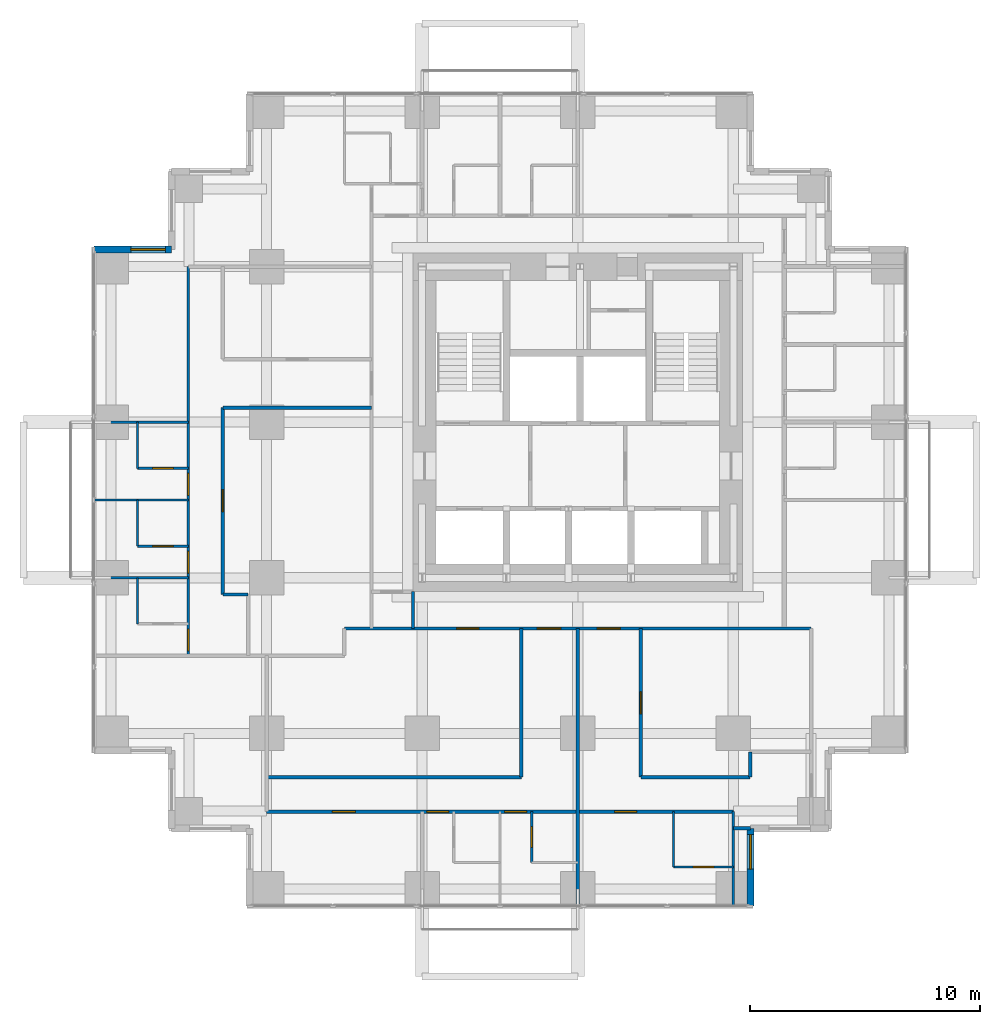
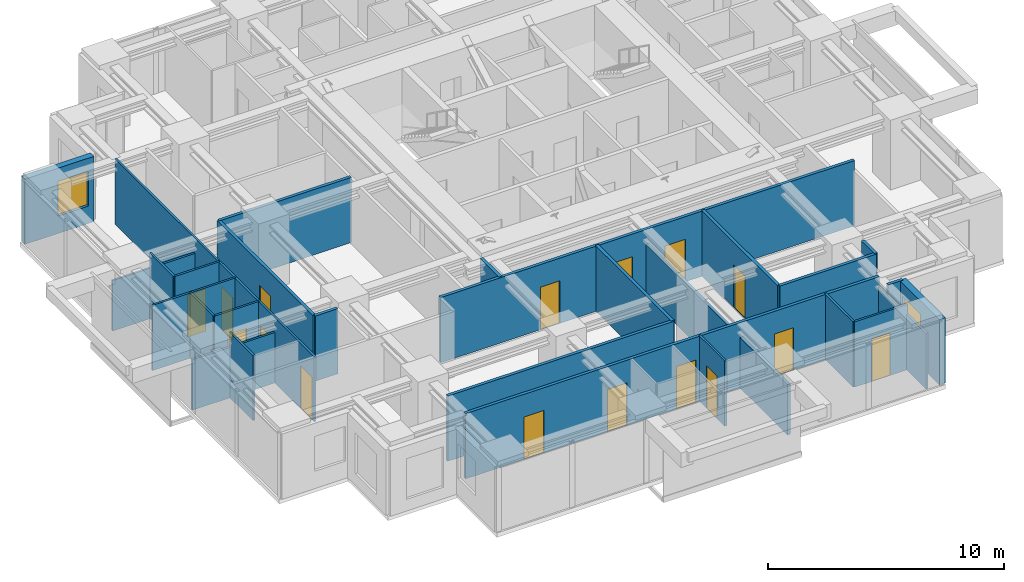
# One storey, part 6 of 10: 28 walls, 16 doors, 2 windows, 18 openings.
"""IFC4 building model written with IfcOpenShell, lengths in metres."""

from ifc_helpers import new_model, si_unit, direction, frame, frame_2d, origin, place, context, subcontext, project, spatial, rectangle, extrude, material, layer, layer_set, type_object, element, fill, save


model = new_model("IFC4")

# Units and contexts
model_context = context("Model", 3, precision=1e-05, world=origin(), true_north=direction((0.0, 1.0)))
body_context = subcontext(model_context, "Body", "Model", "MODEL_VIEW")
ifc_project = project(units=[si_unit("LENGTHUNIT", "METRE"), si_unit("AREAUNIT", "SQUARE_METRE"), si_unit("VOLUMEUNIT", "CUBIC_METRE"), si_unit("PLANEANGLEUNIT", "RADIAN"), si_unit("MASSUNIT", "GRAM", prefix="KILO")], contexts=[model_context])

# Site, building, storey
site_placement = place(None, origin())
site = spatial("IfcSite", under=ifc_project, at=site_placement, CompositionType="ELEMENT")
building_placement = place(site_placement, origin())
building = spatial("IfcBuilding", under=site, at=building_placement, Name="Nyansa Garden Tower", CompositionType="ELEMENT")
storey_placement = place(building_placement, frame((0.0, 0.0, 167.39990234375)))
storey = spatial("IfcBuildingStorey", under=building, at=storey_placement, Name="L45", CompositionType="ELEMENT", Elevation=167.39990234375)

# Wall, opening, door
ifc_material_1 = material(Name="Blockwork, plastered both sides", Category="masonry")
ifc_layer_1 = layer(ifc_material_1, 0.14990234375)
ifc_layer_set_1 = layer_set([ifc_layer_1], Name="Partition PW150")
wall_type_1 = type_object("IfcWallType", Name="Partition PW150", PredefinedType="PARTITIONING", material=ifc_layer_set_1)
wall_1_placement = place(storey_placement, frame((4.85009765625, 12.77490234375, 0.0), z_axis=(0.0, 0.0, 1.0), x_axis=(0.0, 1.0, 0.0)))
wall_1 = element("IfcWall", 1, at=wall_1_placement, inside=storey, type_object=wall_type_1, Name="Partition", PredefinedType="PARTITIONING", context=body_context, shape_type="SweptSolid", body=[
    extrude(rectangle(XDim=8.112548828125, YDim=0.14990234375, at=frame_2d((4.05615234375, 0.0))), origin(), (0.0, 0.0, 1.0), 3.375),
])
opening_1_placement = place(wall_1_placement, frame((3.60009765625, 0.0, 0.0)))
opening_1 = element("IfcOpeningElement", 2, at=opening_1_placement, cuts=wall_1, Name="Opening D01", PredefinedType="OPENING", context=body_context, shape_type="SweptSolid", body=[
    extrude(rectangle(XDim=0.949951171875, YDim=2.199951171875, at=frame_2d((0.47509765625, 1.10009765625))), frame((0.0, 0.0849609375, 0.0), z_axis=(0.0, -1.0, 0.0), x_axis=(1.0, 0.0, 0.0)), (0.0, 0.0, 1.0), 0.169921875),
])
ifc_material_2 = material(Name="Timber flush door, 30 minute fire resisting", Category="wood")
door_type_1 = type_object("IfcDoorType", Name="Bedroom door D01 950x2200", OperationType="SINGLE_SWING_LEFT", PredefinedType="DOOR", material=ifc_material_2)
door_1_placement = place(opening_1_placement, origin())
door_1 = element("IfcDoor", 3, at=door_1_placement, inside=storey, type_object=door_type_1, Name="Door L45-053", OperationType="SINGLE_SWING_LEFT", OverallHeight=2.199951171875, OverallWidth=0.949951171875, PredefinedType="DOOR", context=body_context, shape_type="SweptSolid", body=[
    extrude(rectangle(XDim=0.949951171875, YDim=2.199951171875, at=frame_2d((0.47509765625, 1.10009765625))), frame((0.0, 0.02490234375, 0.0), z_axis=(0.0, -1.0, 0.0), x_axis=(1.0, 0.0, 0.0)), (0.0, 0.0, 1.0), 0.050048828125),
])
fill(opening_1, door_1)

# Walls
wall_2_placement = place(storey_placement, frame((4.85009765625, 12.77490234375, 0.0), z_axis=(0.0, 0.0, 1.0), x_axis=(1.0, 0.0, 0.0)))
element("IfcWall", 4, at=wall_2_placement, inside=storey, type_object=wall_type_1, Name="Partition", PredefinedType="PARTITIONING", context=body_context, shape_type="SweptSolid", body=[
    extrude(rectangle(XDim=1.099853515625, YDim=0.14990234375, at=frame_2d((0.5498046875, 0.0))), origin(), (0.0, 0.0, 1.0), 3.375),
])
wall_3_placement = place(storey_placement, frame((4.85009765625, 20.886962890625, 0.0), z_axis=(0.0, 0.0, 1.0), x_axis=(1.0, 0.0, 0.0)))
element("IfcWall", 5, at=wall_3_placement, inside=storey, type_object=wall_type_1, Name="Partition", PredefinedType="PARTITIONING", context=body_context, shape_type="SweptSolid", body=[
    extrude(rectangle(XDim=6.449951171875, YDim=0.14990234375, at=frame_2d((3.22509765625, 0.0))), origin(), (0.0, 0.0, 1.0), 3.375),
])

# Wall, openings, doors
wall_4_placement = place(storey_placement, frame((6.75, 3.35009765625, 0.0), z_axis=(0.0, 0.0, 1.0), x_axis=(1.0, 0.0, 0.0)))
wall_4 = element("IfcWall", 6, at=wall_4_placement, inside=storey, type_object=wall_type_1, Name="Partition", PredefinedType="PARTITIONING", context=body_context, shape_type="SweptSolid", body=[
    extrude(rectangle(XDim=20.25, YDim=0.14990234375, at=frame_2d((10.125, 0.0))), origin(), (0.0, 0.0, 1.0), 3.375),
])
opening_2_placement = place(wall_4_placement, frame((2.85009765625, 0.0, 0.0)))
opening_2 = element("IfcOpeningElement", 7, at=opening_2_placement, cuts=wall_4, Name="Opening D03", PredefinedType="OPENING", context=body_context, shape_type="SweptSolid", body=[
    extrude(rectangle(XDim=1.0, YDim=2.199951171875, at=frame_2d((0.5, 1.10009765625))), frame((0.0, 0.0849609375, 0.0), z_axis=(0.0, -1.0, 0.0), x_axis=(1.0, 0.0, 0.0)), (0.0, 0.0, 1.0), 0.169921875),
])
opening_3_placement = place(wall_4_placement, frame((6.949951171875, 0.0, 0.0)))
opening_3 = element("IfcOpeningElement", 8, at=opening_3_placement, cuts=wall_4, Name="Opening D01", PredefinedType="OPENING", context=body_context, shape_type="SweptSolid", body=[
    extrude(rectangle(XDim=0.949951171875, YDim=2.199951171875, at=frame_2d((0.47509765625, 1.10009765625))), frame((0.0, 0.0849609375, 0.0), z_axis=(0.0, -1.0, 0.0), x_axis=(1.0, 0.0, 0.0)), (0.0, 0.0, 1.0), 0.169921875),
])
opening_4_placement = place(wall_4_placement, frame((10.324951171875, 0.0, 0.0)))
opening_4 = element("IfcOpeningElement", 9, at=opening_4_placement, cuts=wall_4, Name="Opening D01", PredefinedType="OPENING", context=body_context, shape_type="SweptSolid", body=[
    extrude(rectangle(XDim=0.949951171875, YDim=2.199951171875, at=frame_2d((0.47509765625, 1.10009765625))), frame((0.0, 0.0849609375, 0.0), z_axis=(0.0, -1.0, 0.0), x_axis=(1.0, 0.0, 0.0)), (0.0, 0.0, 1.0), 0.169921875),
])
opening_5_placement = place(wall_4_placement, frame((15.10009765625, 0.0, 0.0)))
opening_5 = element("IfcOpeningElement", 10, at=opening_5_placement, cuts=wall_4, Name="Opening D14", PredefinedType="OPENING", context=body_context, shape_type="SweptSolid", body=[
    extrude(rectangle(XDim=0.949951171875, YDim=2.199951171875, at=frame_2d((0.47509765625, 1.10009765625))), frame((0.0, 0.0849609375, 0.0), z_axis=(0.0, -1.0, 0.0), x_axis=(1.0, 0.0, 0.0)), (0.0, 0.0, 1.0), 0.169921875),
])
door_2_placement = place(opening_3_placement, origin())
door_2 = element("IfcDoor", 11, at=door_2_placement, inside=storey, type_object=door_type_1, Name="Door L45-019", OperationType="SINGLE_SWING_LEFT", OverallHeight=2.199951171875, OverallWidth=0.949951171875, PredefinedType="DOOR", context=body_context, shape_type="SweptSolid", body=[
    extrude(rectangle(XDim=0.949951171875, YDim=2.199951171875, at=frame_2d((0.47509765625, 1.10009765625))), frame((0.0, 0.02490234375, 0.0), z_axis=(0.0, -1.0, 0.0), x_axis=(1.0, 0.0, 0.0)), (0.0, 0.0, 1.0), 0.050048828125),
])
fill(opening_3, door_2)
door_3_placement = place(opening_4_placement, origin())
door_3 = element("IfcDoor", 12, at=door_3_placement, inside=storey, type_object=door_type_1, Name="Door L45-021", OperationType="SINGLE_SWING_LEFT", OverallHeight=2.199951171875, OverallWidth=0.949951171875, PredefinedType="DOOR", context=body_context, shape_type="SweptSolid", body=[
    extrude(rectangle(XDim=0.949951171875, YDim=2.199951171875, at=frame_2d((0.47509765625, 1.10009765625))), frame((0.0, 0.02490234375, 0.0), z_axis=(0.0, -1.0, 0.0), x_axis=(1.0, 0.0, 0.0)), (0.0, 0.0, 1.0), 0.050048828125),
])
fill(opening_4, door_3)
ifc_material_3 = material(Name="Timber flush door, 60 minute fire resisting", Category="wood")
door_type_2 = type_object("IfcDoorType", Name="Cluster entrance door D03 1000x2200", OperationType="SINGLE_SWING_LEFT", PredefinedType="DOOR", material=ifc_material_3)
door_4_placement = place(opening_2_placement, origin())
door_4 = element("IfcDoor", 13, at=door_4_placement, inside=storey, type_object=door_type_2, Name="Door L45-018", OperationType="SINGLE_SWING_LEFT", OverallHeight=2.199951171875, OverallWidth=1.0, PredefinedType="DOOR", context=body_context, shape_type="SweptSolid", body=[
    extrude(rectangle(XDim=1.0, YDim=2.199951171875, at=frame_2d((0.5, 1.10009765625))), frame((0.0, 0.02490234375, 0.0), z_axis=(0.0, -1.0, 0.0), x_axis=(1.0, 0.0, 0.0)), (0.0, 0.0, 1.0), 0.050048828125),
])
fill(opening_2, door_4)
ifc_material_4 = material(Name="Timber flush door, 60 minute fire resisting, self-closing", Category="wood")
door_type_3 = type_object("IfcDoorType", Name="Studio entrance door D14 950x2200", OperationType="SINGLE_SWING_LEFT", PredefinedType="DOOR", material=ifc_material_4)
door_5_placement = place(opening_5_placement, origin())
door_5 = element("IfcDoor", 14, at=door_5_placement, inside=storey, type_object=door_type_3, Name="Door L45-024", OperationType="SINGLE_SWING_LEFT", OverallHeight=2.199951171875, OverallWidth=0.949951171875, PredefinedType="DOOR", context=body_context, shape_type="SweptSolid", body=[
    extrude(rectangle(XDim=0.949951171875, YDim=2.199951171875, at=frame_2d((0.47509765625, 1.10009765625))), frame((0.0, 0.02490234375, 0.0), z_axis=(0.0, -1.0, 0.0), x_axis=(1.0, 0.0, 0.0)), (0.0, 0.0, 1.0), 0.050048828125),
])
fill(opening_5, door_5)

# Wall
wall_5_placement = place(storey_placement, frame((6.75, 4.85009765625, 0.0), z_axis=(0.0, 0.0, 1.0), x_axis=(1.0, 0.0, 0.0)))
element("IfcWall", 15, at=wall_5_placement, inside=storey, type_object=wall_type_1, Name="Partition", PredefinedType="PARTITIONING", context=body_context, shape_type="SweptSolid", body=[
    extrude(rectangle(XDim=11.050048828125, YDim=0.14990234375, at=frame_2d((5.52490234375, 0.0))), origin(), (0.0, 0.0, 1.0), 3.375),
])

# Wall, openings, doors
wall_6_placement = place(storey_placement, frame((10.125, 11.300048828125, 0.0), z_axis=(0.0, 0.0, 1.0), x_axis=(1.0, 0.0, 0.0)))
wall_6 = element("IfcWall", 16, at=wall_6_placement, inside=storey, type_object=wall_type_1, Name="Partition", PredefinedType="PARTITIONING", context=body_context, shape_type="SweptSolid", body=[
    extrude(rectangle(XDim=20.25, YDim=0.14990234375, at=frame_2d((10.125, 0.0))), origin(), (0.0, 0.0, 1.0), 3.375),
])
opening_6_placement = place(wall_6_placement, frame((8.375, 0.0, 0.0)))
opening_6 = element("IfcOpeningElement", 17, at=opening_6_placement, cuts=wall_6, Name="Opening D03", PredefinedType="OPENING", context=body_context, shape_type="SweptSolid", body=[
    extrude(rectangle(XDim=1.0, YDim=2.199951171875, at=frame_2d((0.5, 1.10009765625))), frame((0.0, 0.0849609375, 0.0), z_axis=(0.0, -1.0, 0.0), x_axis=(1.0, 0.0, 0.0)), (0.0, 0.0, 1.0), 0.169921875),
])
opening_7_placement = place(wall_6_placement, frame((10.97509765625, 0.0, 0.0)))
opening_7 = element("IfcOpeningElement", 18, at=opening_7_placement, cuts=wall_6, Name="Opening D03", PredefinedType="OPENING", context=body_context, shape_type="SweptSolid", body=[
    extrude(rectangle(XDim=1.0, YDim=2.199951171875, at=frame_2d((0.5, 1.10009765625))), frame((0.0, 0.0849609375, 0.0), z_axis=(0.0, -1.0, 0.0), x_axis=(1.0, 0.0, 0.0)), (0.0, 0.0, 1.0), 0.169921875),
])
opening_8_placement = place(wall_6_placement, frame((4.875, 0.0, 0.0)))
opening_8 = element("IfcOpeningElement", 19, at=opening_8_placement, cuts=wall_6, Name="Opening D01", PredefinedType="OPENING", context=body_context, shape_type="SweptSolid", body=[
    extrude(rectangle(XDim=0.949951171875, YDim=2.199951171875, at=frame_2d((0.47509765625, 1.10009765625))), frame((0.0, 0.0849609375, 0.0), z_axis=(0.0, -1.0, 0.0), x_axis=(1.0, 0.0, 0.0)), (0.0, 0.0, 1.0), 0.169921875),
])
door_6_placement = place(opening_8_placement, origin())
door_6 = element("IfcDoor", 20, at=door_6_placement, inside=storey, type_object=door_type_1, Name="Door L45-027", OperationType="SINGLE_SWING_LEFT", OverallHeight=2.199951171875, OverallWidth=0.949951171875, PredefinedType="DOOR", context=body_context, shape_type="SweptSolid", body=[
    extrude(rectangle(XDim=0.949951171875, YDim=2.199951171875, at=frame_2d((0.47509765625, 1.10009765625))), frame((0.0, 0.02490234375, 0.0), z_axis=(0.0, -1.0, 0.0), x_axis=(1.0, 0.0, 0.0)), (0.0, 0.0, 1.0), 0.050048828125),
])
fill(opening_8, door_6)
door_7_placement = place(opening_6_placement, origin())
door_7 = element("IfcDoor", 21, at=door_7_placement, inside=storey, type_object=door_type_2, Name="Door L45-023", OperationType="SINGLE_SWING_LEFT", OverallHeight=2.199951171875, OverallWidth=1.0, PredefinedType="DOOR", context=body_context, shape_type="SweptSolid", body=[
    extrude(rectangle(XDim=1.0, YDim=2.199951171875, at=frame_2d((0.5, 1.10009765625))), frame((0.0, 0.02490234375, 0.0), z_axis=(0.0, -1.0, 0.0), x_axis=(1.0, 0.0, 0.0)), (0.0, 0.0, 1.0), 0.050048828125),
])
fill(opening_6, door_7)
door_8_placement = place(opening_7_placement, origin())
door_8 = element("IfcDoor", 22, at=door_8_placement, inside=storey, type_object=door_type_2, Name="Door L45-026", OperationType="SINGLE_SWING_LEFT", OverallHeight=2.199951171875, OverallWidth=1.0, PredefinedType="DOOR", context=body_context, shape_type="SweptSolid", body=[
    extrude(rectangle(XDim=1.0, YDim=2.199951171875, at=frame_2d((0.5, 1.10009765625))), frame((0.0, 0.02490234375, 0.0), z_axis=(0.0, -1.0, 0.0), x_axis=(1.0, 0.0, 0.0)), (0.0, 0.0, 1.0), 0.050048828125),
])
fill(opening_7, door_8)

# Walls
wall_7_placement = place(storey_placement, frame((13.10009765625, 11.300048828125, 0.0), z_axis=(0.0, 0.0, 1.0), x_axis=(0.0, 1.0, 0.0)))
element("IfcWall", 23, at=wall_7_placement, inside=storey, type_object=wall_type_1, Name="Partition", PredefinedType="PARTITIONING", context=body_context, shape_type="SweptSolid", body=[
    extrude(rectangle(XDim=1.599853515625, YDim=0.14990234375, at=frame_2d((0.7998046875, 0.0))), origin(), (0.0, 0.0, 1.0), 3.375),
])
wall_8_placement = place(storey_placement, frame((17.800048828125, 4.85009765625, 0.0), z_axis=(0.0, 0.0, 1.0), x_axis=(0.0, 1.0, 0.0)))
element("IfcWall", 24, at=wall_8_placement, inside=storey, type_object=wall_type_1, Name="Partition", PredefinedType="PARTITIONING", context=body_context, shape_type="SweptSolid", body=[
    extrude(rectangle(XDim=6.449951171875, YDim=0.14990234375, at=frame_2d((3.22509765625, 0.0))), origin(), (0.0, 0.0, 1.0), 3.375),
])
wall_9_placement = place(storey_placement, frame((20.25, -0.73388671875, 0.0), z_axis=(0.0, 0.0, 1.0), x_axis=(0.0, 1.0, 0.0)))
element("IfcWall", 25, at=wall_9_placement, inside=storey, type_object=wall_type_1, Name="Partition", PredefinedType="PARTITIONING", context=body_context, shape_type="SweptSolid", body=[
    extrude(rectangle(XDim=12.033935546875, YDim=0.14990234375, at=frame_2d((6.01708984375, 0.0))), origin(), (0.0, 0.0, 1.0), 2.610107421875),
])
wall_10_placement = place(storey_placement, frame((22.987548828125, 4.85009765625, 0.0), z_axis=(0.0, 0.0, 1.0), x_axis=(1.0, 0.0, 0.0)))
element("IfcWall", 26, at=wall_10_placement, inside=storey, type_object=wall_type_1, Name="Partition", PredefinedType="PARTITIONING", context=body_context, shape_type="SweptSolid", body=[
    extrude(rectangle(XDim=4.737548828125, YDim=0.14990234375, at=frame_2d((2.36865234375, 0.0))), origin(), (0.0, 0.0, 1.0), 3.375),
])

# Wall, opening, door
wall_11_placement = place(storey_placement, frame((22.988037109375, 4.85009765625, 0.0), z_axis=(0.0, 0.0, 1.0), x_axis=(0.0, 1.0, 0.0)))
wall_11 = element("IfcWall", 27, at=wall_11_placement, inside=storey, type_object=wall_type_1, Name="Partition", PredefinedType="PARTITIONING", context=body_context, shape_type="SweptSolid", body=[
    extrude(rectangle(XDim=6.449951171875, YDim=0.14990234375, at=frame_2d((3.22509765625, 0.0))), origin(), (0.0, 0.0, 1.0), 3.375),
])
opening_9_placement = place(wall_11_placement, frame((2.75, 0.0, 0.0)))
opening_9 = element("IfcOpeningElement", 28, at=opening_9_placement, cuts=wall_11, Name="Opening D01", PredefinedType="OPENING", context=body_context, shape_type="SweptSolid", body=[
    extrude(rectangle(XDim=0.949951171875, YDim=2.199951171875, at=frame_2d((0.47509765625, 1.10009765625))), frame((0.0, 0.0849609375, 0.0), z_axis=(0.0, -1.0, 0.0), x_axis=(1.0, 0.0, 0.0)), (0.0, 0.0, 1.0), 0.169921875),
])
door_9_placement = place(opening_9_placement, origin())
door_9 = element("IfcDoor", 29, at=door_9_placement, inside=storey, type_object=door_type_1, Name="Door L45-028", OperationType="SINGLE_SWING_LEFT", OverallHeight=2.199951171875, OverallWidth=0.949951171875, PredefinedType="DOOR", context=body_context, shape_type="SweptSolid", body=[
    extrude(rectangle(XDim=0.949951171875, YDim=2.199951171875, at=frame_2d((0.47509765625, 1.10009765625))), frame((0.0, 0.02490234375, 0.0), z_axis=(0.0, -1.0, 0.0), x_axis=(1.0, 0.0, 0.0)), (0.0, 0.0, 1.0), 0.050048828125),
])
fill(opening_9, door_9)

# Walls
wall_12_placement = place(storey_placement, frame((27.0, 2.625, 0.0), z_axis=(0.0, 0.0, 1.0), x_axis=(1.0, 0.0, 0.0)))
element("IfcWall", 30, at=wall_12_placement, inside=storey, type_object=wall_type_1, Name="Partition", PredefinedType="PARTITIONING", context=body_context, shape_type="SweptSolid", body=[
    extrude(rectangle(XDim=0.73388671875, YDim=0.14990234375, at=frame_2d((0.366943359375, 0.0))), origin(), (0.0, 0.0, 1.0), 3.375),
])
wall_13_placement = place(storey_placement, frame((27.72509765625, 4.85009765625, 0.0), z_axis=(0.0, 0.0, 1.0), x_axis=(0.0, 1.0, 0.0)))
element("IfcWall", 31, at=wall_13_placement, inside=storey, type_object=wall_type_1, Name="Partition", PredefinedType="PARTITIONING", context=body_context, shape_type="SweptSolid", body=[
    extrude(rectangle(XDim=1.099853515625, YDim=0.14990234375, at=frame_2d((0.5498046875, 0.0))), origin(), (0.0, 0.0, 1.0), 3.375),
])

# Wall, opening, window
ifc_material_5 = material(Name="Turquoise glazed tile on concrete blockwork", Category="masonry")
ifc_layer_2 = layer(ifc_material_5, 0.300048828125)
ifc_layer_set_2 = layer_set([ifc_layer_2], Name="Tiled corner wall TW300")
wall_type_2 = type_object("IfcWallType", Name="Tiled corner wall TW300", PredefinedType="SOLIDWALL", material=ifc_layer_set_2)
wall_14_placement = place(storey_placement, frame((2.625, 27.75, 0.0), z_axis=(0.0, 0.0, 1.0), x_axis=(-1.0, 0.0, 0.0)))
wall_14 = element("IfcWall", 32, at=wall_14_placement, inside=storey, type_object=wall_type_2, Name="Tiled corner wall L45", PredefinedType="SOLIDWALL", context=body_context, shape_type="SweptSolid", body=[
    extrude(rectangle(XDim=3.375, YDim=0.300048828125, at=frame_2d((1.6875, 0.0))), origin(), (0.0, 0.0, 1.0), 3.375),
])
opening_10_placement = place(wall_14_placement, frame((0.267578125, 0.0, 0.89990234375)))
opening_10 = element("IfcOpeningElement", 33, at=opening_10_placement, cuts=wall_14, Name="Opening W1", PredefinedType="OPENING", context=body_context, shape_type="SweptSolid", body=[
    extrude(rectangle(XDim=1.5, YDim=1.800048828125, at=frame_2d((0.75, 0.89990234375))), frame((0.0, 0.159912109375, 0.0), z_axis=(0.0, -1.0, 0.0), x_axis=(1.0, 0.0, 0.0)), (0.0, 0.0, 1.0), 0.320068359375),
])
ifc_material_6 = material(Name="Black aluminium frame, dark tinted double glazing", Category="aluminium")
window_type = type_object("IfcWindowType", Name="Window W1 1500x1800", PartitioningType="SINGLE_PANEL", PredefinedType="WINDOW", material=ifc_material_6)
window_1_placement = place(opening_10_placement, origin())
window_1 = element("IfcWindow", 34, at=window_1_placement, inside=storey, type_object=window_type, Name="Corner window L45", OverallHeight=1.800048828125, OverallWidth=1.5, PartitioningType="SINGLE_PANEL", PredefinedType="WINDOW", context=body_context, shape_type="SweptSolid", body=[
    extrude(rectangle(XDim=1.5, YDim=1.800048828125, at=frame_2d((0.75, 0.89990234375))), frame((0.0, 0.030029296875, 0.0), z_axis=(0.0, -1.0, 0.0), x_axis=(1.0, 0.0, 0.0)), (0.0, 0.0, 1.0), 0.06005859375),
])
fill(opening_10, window_1)

wall_15_placement = place(storey_placement, frame((27.75, -0.75, 0.0), z_axis=(0.0, 0.0, 1.0), x_axis=(0.0, 1.0, 0.0)))
wall_15 = element("IfcWall", 35, at=wall_15_placement, inside=storey, type_object=wall_type_2, Name="Tiled corner wall L45", PredefinedType="SOLIDWALL", context=body_context, shape_type="SweptSolid", body=[
    extrude(rectangle(XDim=3.375, YDim=0.300048828125, at=frame_2d((1.6875, 0.0))), origin(), (0.0, 0.0, 1.0), 3.375),
])
opening_11_placement = place(wall_15_placement, frame((1.607421875, 0.0, 0.89990234375)))
opening_11 = element("IfcOpeningElement", 36, at=opening_11_placement, cuts=wall_15, Name="Opening W1", PredefinedType="OPENING", context=body_context, shape_type="SweptSolid", body=[
    extrude(rectangle(XDim=1.5, YDim=1.800048828125, at=frame_2d((0.75, 0.89990234375))), frame((0.0, 0.159912109375, 0.0), z_axis=(0.0, -1.0, 0.0), x_axis=(1.0, 0.0, 0.0)), (0.0, 0.0, 1.0), 0.320068359375),
])
window_2_placement = place(opening_11_placement, origin())
window_2 = element("IfcWindow", 37, at=window_2_placement, inside=storey, type_object=window_type, Name="Corner window L45", OverallHeight=1.800048828125, OverallWidth=1.5, PartitioningType="SINGLE_PANEL", PredefinedType="WINDOW", context=body_context, shape_type="SweptSolid", body=[
    extrude(rectangle(XDim=1.5, YDim=1.800048828125, at=frame_2d((0.75, 0.89990234375))), frame((0.0, 0.030029296875, 0.0), z_axis=(0.0, -1.0, 0.0), x_axis=(1.0, 0.0, 0.0)), (0.0, 0.0, 1.0), 0.06005859375),
])
fill(opening_11, window_2)

# Walls
ifc_material_7 = material(Name="Moisture resistant board on steel studs, tiled", Category="steel")
ifc_layer_3 = layer(ifc_material_7, 0.10009765625)
ifc_layer_set_3 = layer_set([ifc_layer_3], Name="Wet wall PW100")
wall_type_3 = type_object("IfcWallType", Name="Wet wall PW100", PredefinedType="PARTITIONING", material=ifc_layer_set_3)
wall_16_placement = place(storey_placement, frame((-0.73388671875, 13.5, 0.0), z_axis=(0.0, 0.0, 1.0), x_axis=(1.0, 0.0, 0.0)))
element("IfcWall", 38, at=wall_16_placement, inside=storey, type_object=wall_type_3, Name="Wet wall", PredefinedType="PARTITIONING", context=body_context, shape_type="SweptSolid", body=[
    extrude(rectangle(XDim=4.083984375, YDim=0.10009765625, at=frame_2d((2.0419921875, 0.0))), origin(), (0.0, 0.0, 1.0), 2.610107421875),
])
wall_17_placement = place(storey_placement, frame((-0.73388671875, 16.875, 0.0), z_axis=(0.0, 0.0, 1.0), x_axis=(1.0, 0.0, 0.0)))
element("IfcWall", 39, at=wall_17_placement, inside=storey, type_object=wall_type_3, Name="Wet wall", PredefinedType="PARTITIONING", context=body_context, shape_type="SweptSolid", body=[
    extrude(rectangle(XDim=4.083984375, YDim=0.10009765625, at=frame_2d((2.0419921875, 0.0))), origin(), (0.0, 0.0, 1.0), 3.375),
])
wall_18_placement = place(storey_placement, frame((-0.73388671875, 20.25, 0.0), z_axis=(0.0, 0.0, 1.0), x_axis=(1.0, 0.0, 0.0)))
element("IfcWall", 40, at=wall_18_placement, inside=storey, type_object=wall_type_3, Name="Wet wall", PredefinedType="PARTITIONING", context=body_context, shape_type="SweptSolid", body=[
    extrude(rectangle(XDim=4.083984375, YDim=0.10009765625, at=frame_2d((2.0419921875, 0.0))), origin(), (0.0, 0.0, 1.0), 2.610107421875),
])
for number, where, z_axis, x_axis, name in (
    (41, (1.14990234375, 11.5, 0.0), (0.0, 0.0, 1.0), (0.0, 1.0, 0.0), "Wet wall"),
    (42, (1.14990234375, 14.875, 0.0), (0.0, 0.0, 1.0), (0.0, 1.0, 0.0), "Wet wall"),
):
    element("IfcWall", number, at=place(storey_placement, frame(where, z_axis=z_axis, x_axis=x_axis)), inside=storey, type_object=wall_type_3, Name=name, PredefinedType="PARTITIONING", context=body_context, shape_type="SweptSolid", body=[
        extrude(rectangle(XDim=2.0, YDim=0.10009765625, at=frame_2d((1.0, 0.0))), origin(), (0.0, 0.0, 1.0), 3.375),
    ])

# Wall, opening, door
wall_19_placement = place(storey_placement, frame((1.14990234375, 14.875, 0.0), z_axis=(0.0, 0.0, 1.0), x_axis=(1.0, 0.0, 0.0)))
wall_19 = element("IfcWall", 43, at=wall_19_placement, inside=storey, type_object=wall_type_3, Name="Wet wall", PredefinedType="PARTITIONING", context=body_context, shape_type="SweptSolid", body=[
    extrude(rectangle(XDim=2.2001953125, YDim=0.10009765625, at=frame_2d((1.10009765625, 0.0))), origin(), (0.0, 0.0, 1.0), 3.375),
])
opening_12_placement = place(wall_19_placement, frame((0.64990234375, 0.0, 0.0)))
opening_12 = element("IfcOpeningElement", 44, at=opening_12_placement, cuts=wall_19, Name="Opening D02", PredefinedType="OPENING", context=body_context, shape_type="SweptSolid", body=[
    extrude(rectangle(XDim=0.89990234375, YDim=2.199951171875, at=frame_2d((0.449951171875, 1.10009765625))), frame((0.0, 0.06005859375, 0.0), z_axis=(0.0, -1.0, 0.0), x_axis=(1.0, 0.0, 0.0)), (0.0, 0.0, 1.0), 0.1201171875),
])
ifc_material_8 = material(Name="Timber flush door", Category="wood")
door_type_4 = type_object("IfcDoorType", Name="En-suite door D02 900x2200", OperationType="SINGLE_SWING_RIGHT", PredefinedType="DOOR", material=ifc_material_8)
door_10_placement = place(opening_12_placement, origin())
door_10 = element("IfcDoor", 45, at=door_10_placement, inside=storey, type_object=door_type_4, Name="Door L45-049", OperationType="SINGLE_SWING_RIGHT", OverallHeight=2.199951171875, OverallWidth=0.89990234375, PredefinedType="DOOR", context=body_context, shape_type="SweptSolid", body=[
    extrude(rectangle(XDim=0.89990234375, YDim=2.199951171875, at=frame_2d((0.449951171875, 1.10009765625))), frame((0.0, 0.02490234375, 0.0), z_axis=(0.0, -1.0, 0.0), x_axis=(1.0, 0.0, 0.0)), (0.0, 0.0, 1.0), 0.050048828125),
])
fill(opening_12, door_10)

# Wall
wall_20_placement = place(storey_placement, frame((1.14990234375, 18.25, 0.0), z_axis=(0.0, 0.0, 1.0), x_axis=(0.0, 1.0, 0.0)))
element("IfcWall", 46, at=wall_20_placement, inside=storey, type_object=wall_type_3, Name="Wet wall", PredefinedType="PARTITIONING", context=body_context, shape_type="SweptSolid", body=[
    extrude(rectangle(XDim=2.0, YDim=0.10009765625, at=frame_2d((1.0, 0.0))), origin(), (0.0, 0.0, 1.0), 3.375),
])

# Wall, opening, door
wall_21_placement = place(storey_placement, frame((1.14990234375, 18.25, 0.0), z_axis=(0.0, 0.0, 1.0), x_axis=(1.0, 0.0, 0.0)))
wall_21 = element("IfcWall", 47, at=wall_21_placement, inside=storey, type_object=wall_type_3, Name="Wet wall", PredefinedType="PARTITIONING", context=body_context, shape_type="SweptSolid", body=[
    extrude(rectangle(XDim=2.2001953125, YDim=0.10009765625, at=frame_2d((1.10009765625, 0.0))), origin(), (0.0, 0.0, 1.0), 3.375),
])
opening_13_placement = place(wall_21_placement, frame((0.64990234375, 0.0, 0.0)))
opening_13 = element("IfcOpeningElement", 48, at=opening_13_placement, cuts=wall_21, Name="Opening D02", PredefinedType="OPENING", context=body_context, shape_type="SweptSolid", body=[
    extrude(rectangle(XDim=0.89990234375, YDim=2.199951171875, at=frame_2d((0.449951171875, 1.10009765625))), frame((0.0, 0.06005859375, 0.0), z_axis=(0.0, -1.0, 0.0), x_axis=(1.0, 0.0, 0.0)), (0.0, 0.0, 1.0), 0.1201171875),
])
door_11_placement = place(opening_13_placement, origin())
door_11 = element("IfcDoor", 49, at=door_11_placement, inside=storey, type_object=door_type_4, Name="Door L45-051", OperationType="SINGLE_SWING_RIGHT", OverallHeight=2.199951171875, OverallWidth=0.89990234375, PredefinedType="DOOR", context=body_context, shape_type="SweptSolid", body=[
    extrude(rectangle(XDim=0.89990234375, YDim=2.199951171875, at=frame_2d((0.449951171875, 1.10009765625))), frame((0.0, 0.02490234375, 0.0), z_axis=(0.0, -1.0, 0.0), x_axis=(1.0, 0.0, 0.0)), (0.0, 0.0, 1.0), 0.050048828125),
])
fill(opening_13, door_11)

# Wall, openings, doors
wall_22_placement = place(storey_placement, frame((3.35009765625, 10.125, 0.0), z_axis=(0.0, 0.0, 1.0), x_axis=(0.0, 1.0, 0.0)))
wall_22 = element("IfcWall", 50, at=wall_22_placement, inside=storey, type_object=wall_type_3, Name="Wet wall", PredefinedType="PARTITIONING", context=body_context, shape_type="SweptSolid", body=[
    extrude(rectangle(XDim=16.875, YDim=0.10009765625, at=frame_2d((8.4375, 0.0))), origin(), (0.0, 0.0, 1.0), 3.375),
])
opening_14_placement = place(wall_22_placement, frame((0.199951171875, 0.0, 0.0)))
opening_14 = element("IfcOpeningElement", 51, at=opening_14_placement, cuts=wall_22, Name="Opening D14", PredefinedType="OPENING", context=body_context, shape_type="SweptSolid", body=[
    extrude(rectangle(XDim=0.949951171875, YDim=2.199951171875, at=frame_2d((0.47509765625, 1.10009765625))), frame((0.0, 0.06005859375, 0.0), z_axis=(0.0, -1.0, 0.0), x_axis=(1.0, 0.0, 0.0)), (0.0, 0.0, 1.0), 0.1201171875),
])
opening_15_placement = place(wall_22_placement, frame((3.574951171875, 0.0, 0.0)))
opening_15 = element("IfcOpeningElement", 52, at=opening_15_placement, cuts=wall_22, Name="Opening D14", PredefinedType="OPENING", context=body_context, shape_type="SweptSolid", body=[
    extrude(rectangle(XDim=0.949951171875, YDim=2.199951171875, at=frame_2d((0.47509765625, 1.10009765625))), frame((0.0, 0.06005859375, 0.0), z_axis=(0.0, -1.0, 0.0), x_axis=(1.0, 0.0, 0.0)), (0.0, 0.0, 1.0), 0.1201171875),
])
opening_16_placement = place(wall_22_placement, frame((6.949951171875, 0.0, 0.0)))
opening_16 = element("IfcOpeningElement", 53, at=opening_16_placement, cuts=wall_22, Name="Opening D14", PredefinedType="OPENING", context=body_context, shape_type="SweptSolid", body=[
    extrude(rectangle(XDim=0.949951171875, YDim=2.199951171875, at=frame_2d((0.47509765625, 1.10009765625))), frame((0.0, 0.06005859375, 0.0), z_axis=(0.0, -1.0, 0.0), x_axis=(1.0, 0.0, 0.0)), (0.0, 0.0, 1.0), 0.1201171875),
])
door_12_placement = place(opening_14_placement, origin())
door_12 = element("IfcDoor", 54, at=door_12_placement, inside=storey, type_object=door_type_3, Name="Door L45-046", OperationType="SINGLE_SWING_LEFT", OverallHeight=2.199951171875, OverallWidth=0.949951171875, PredefinedType="DOOR", context=body_context, shape_type="SweptSolid", body=[
    extrude(rectangle(XDim=0.949951171875, YDim=2.199951171875, at=frame_2d((0.47509765625, 1.10009765625))), frame((0.0, 0.02490234375, 0.0), z_axis=(0.0, -1.0, 0.0), x_axis=(1.0, 0.0, 0.0)), (0.0, 0.0, 1.0), 0.050048828125),
])
fill(opening_14, door_12)
door_13_placement = place(opening_15_placement, origin())
door_13 = element("IfcDoor", 55, at=door_13_placement, inside=storey, type_object=door_type_3, Name="Door L45-048", OperationType="SINGLE_SWING_LEFT", OverallHeight=2.199951171875, OverallWidth=0.949951171875, PredefinedType="DOOR", context=body_context, shape_type="SweptSolid", body=[
    extrude(rectangle(XDim=0.949951171875, YDim=2.199951171875, at=frame_2d((0.47509765625, 1.10009765625))), frame((0.0, 0.02490234375, 0.0), z_axis=(0.0, -1.0, 0.0), x_axis=(1.0, 0.0, 0.0)), (0.0, 0.0, 1.0), 0.050048828125),
])
fill(opening_15, door_13)
door_14_placement = place(opening_16_placement, origin())
door_14 = element("IfcDoor", 56, at=door_14_placement, inside=storey, type_object=door_type_3, Name="Door L45-050", OperationType="SINGLE_SWING_LEFT", OverallHeight=2.199951171875, OverallWidth=0.949951171875, PredefinedType="DOOR", context=body_context, shape_type="SweptSolid", body=[
    extrude(rectangle(XDim=0.949951171875, YDim=2.199951171875, at=frame_2d((0.47509765625, 1.10009765625))), frame((0.0, 0.02490234375, 0.0), z_axis=(0.0, -1.0, 0.0), x_axis=(1.0, 0.0, 0.0)), (0.0, 0.0, 1.0), 0.050048828125),
])
fill(opening_16, door_14)

# Wall, opening, door
wall_23_placement = place(storey_placement, frame((18.25, 1.14990234375, 0.0), z_axis=(0.0, 0.0, 1.0), x_axis=(0.0, 1.0, 0.0)))
wall_23 = element("IfcWall", 57, at=wall_23_placement, inside=storey, type_object=wall_type_3, Name="Wet wall", PredefinedType="PARTITIONING", context=body_context, shape_type="SweptSolid", body=[
    extrude(rectangle(XDim=2.2001953125, YDim=0.10009765625, at=frame_2d((1.10009765625, 0.0))), origin(), (0.0, 0.0, 1.0), 3.375),
])
opening_17_placement = place(wall_23_placement, frame((0.64990234375, 0.0, 0.0)))
opening_17 = element("IfcOpeningElement", 58, at=opening_17_placement, cuts=wall_23, Name="Opening D02", PredefinedType="OPENING", context=body_context, shape_type="SweptSolid", body=[
    extrude(rectangle(XDim=0.89990234375, YDim=2.199951171875, at=frame_2d((0.449951171875, 1.10009765625))), frame((0.0, 0.06005859375, 0.0), z_axis=(0.0, -1.0, 0.0), x_axis=(1.0, 0.0, 0.0)), (0.0, 0.0, 1.0), 0.1201171875),
])
door_15_placement = place(opening_17_placement, origin())
door_15 = element("IfcDoor", 59, at=door_15_placement, inside=storey, type_object=door_type_4, Name="Door L45-022", OperationType="SINGLE_SWING_RIGHT", OverallHeight=2.199951171875, OverallWidth=0.89990234375, PredefinedType="DOOR", context=body_context, shape_type="SweptSolid", body=[
    extrude(rectangle(XDim=0.89990234375, YDim=2.199951171875, at=frame_2d((0.449951171875, 1.10009765625))), frame((0.0, 0.02490234375, 0.0), z_axis=(0.0, -1.0, 0.0), x_axis=(1.0, 0.0, 0.0)), (0.0, 0.0, 1.0), 0.050048828125),
])
fill(opening_17, door_15)

# Wall
wall_24_placement = place(storey_placement, frame((24.39990234375, 0.949951171875, 0.0), z_axis=(0.0, 0.0, 1.0), x_axis=(0.0, 1.0, 0.0)))
element("IfcWall", 60, at=wall_24_placement, inside=storey, type_object=wall_type_3, Name="Wet wall", PredefinedType="PARTITIONING", context=body_context, shape_type="SweptSolid", body=[
    extrude(rectangle(XDim=2.400146484375, YDim=0.10009765625, at=frame_2d((1.2001953125, 0.0))), origin(), (0.0, 0.0, 1.0), 3.375),
])

# Wall, opening, door
wall_25_placement = place(storey_placement, frame((24.39990234375, 0.949951171875, 0.0), z_axis=(0.0, 0.0, 1.0), x_axis=(1.0, 0.0, 0.0)))
wall_25 = element("IfcWall", 61, at=wall_25_placement, inside=storey, type_object=wall_type_3, Name="Wet wall", PredefinedType="PARTITIONING", context=body_context, shape_type="SweptSolid", body=[
    extrude(rectangle(XDim=2.60009765625, YDim=0.10009765625, at=frame_2d((1.300048828125, 0.0))), origin(), (0.0, 0.0, 1.0), 3.375),
])
opening_18_placement = place(wall_25_placement, frame((0.85009765625, 0.0, 0.0)))
opening_18 = element("IfcOpeningElement", 62, at=opening_18_placement, cuts=wall_25, Name="Opening D02", PredefinedType="OPENING", context=body_context, shape_type="SweptSolid", body=[
    extrude(rectangle(XDim=0.89990234375, YDim=2.199951171875, at=frame_2d((0.449951171875, 1.10009765625))), frame((0.0, 0.06005859375, 0.0), z_axis=(0.0, -1.0, 0.0), x_axis=(1.0, 0.0, 0.0)), (0.0, 0.0, 1.0), 0.1201171875),
])
door_16_placement = place(opening_18_placement, origin())
door_16 = element("IfcDoor", 63, at=door_16_placement, inside=storey, type_object=door_type_4, Name="Door L45-025", OperationType="SINGLE_SWING_RIGHT", OverallHeight=2.199951171875, OverallWidth=0.89990234375, PredefinedType="DOOR", context=body_context, shape_type="SweptSolid", body=[
    extrude(rectangle(XDim=0.89990234375, YDim=2.199951171875, at=frame_2d((0.449951171875, 1.10009765625))), frame((0.0, 0.02490234375, 0.0), z_axis=(0.0, -1.0, 0.0), x_axis=(1.0, 0.0, 0.0)), (0.0, 0.0, 1.0), 0.050048828125),
])
fill(opening_18, door_16)

# Wall
wall_26_placement = place(storey_placement, frame((27.0, -0.73388671875, 0.0), z_axis=(0.0, 0.0, 1.0), x_axis=(0.0, 1.0, 0.0)))
element("IfcWall", 64, at=wall_26_placement, inside=storey, type_object=wall_type_3, Name="Wet wall", PredefinedType="PARTITIONING", context=body_context, shape_type="SweptSolid", body=[
    extrude(rectangle(XDim=4.083984375, YDim=0.10009765625, at=frame_2d((2.0419921875, 0.0))), origin(), (0.0, 0.0, 1.0), 2.877197265625),
])

save(model, "model.ifc")
